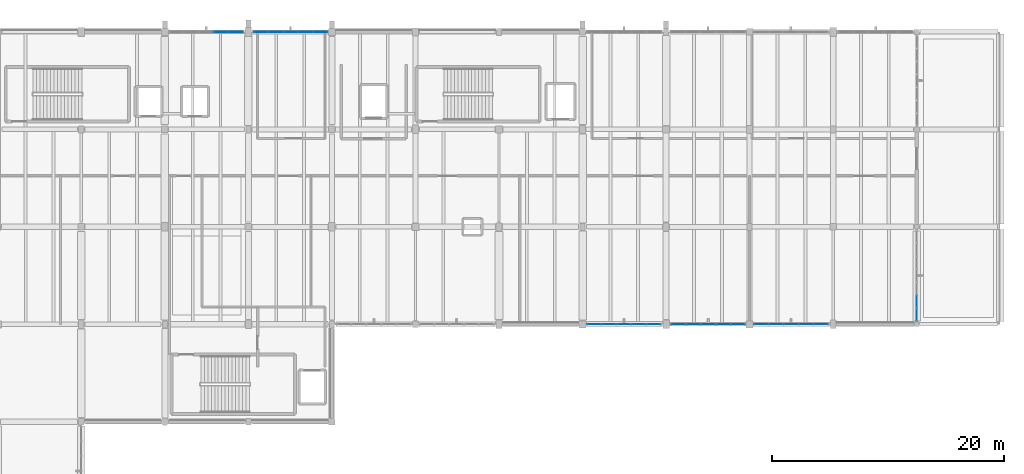
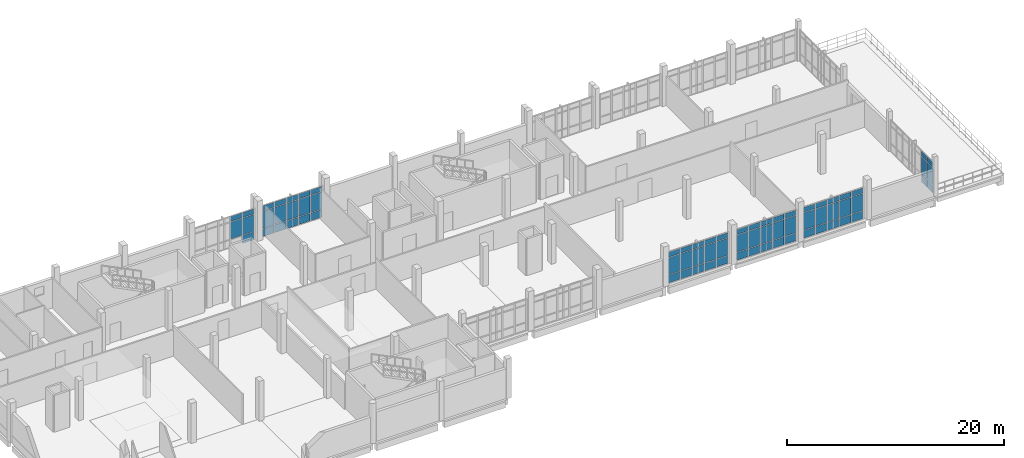
# One storey, part 49 of 62: 71 plates, 6 elements without a shape of their own.
"""IFC4 building model written with IfcOpenShell, lengths in metres."""

from ifc_helpers import new_model, si_unit, direction, frame, origin, origin_2d, place, context, subcontext, project, spatial, rectangle, extrude, material, layer, layer_set, type_object, element, aggregate, save


model = new_model("IFC4")

# Units and contexts
model_context = context("Model", 3, precision=1e-05, world=origin(), true_north=direction((0.0, 1.0)))
body_context = subcontext(model_context, "Body", "Model", "MODEL_VIEW")
ifc_project = project(units=[si_unit("LENGTHUNIT", "METRE"), si_unit("AREAUNIT", "SQUARE_METRE"), si_unit("VOLUMEUNIT", "CUBIC_METRE"), si_unit("PLANEANGLEUNIT", "RADIAN"), si_unit("MASSUNIT", "GRAM", prefix="KILO")], contexts=[model_context])

# Site, building, storey
site_placement = place(None, origin())
site = spatial("IfcSite", under=ifc_project, at=site_placement, CompositionType="ELEMENT")
building_placement = place(site_placement, origin())
building = spatial("IfcBuilding", under=site, at=building_placement, Name="Kalluvel Institute of Natural Sciences", CompositionType="ELEMENT")
storey_placement = place(building_placement, frame((0.0, 0.0, 27.89990234375)))
storey = spatial("IfcBuildingStorey", under=building, at=storey_placement, Name="L06", CompositionType="ELEMENT", Elevation=27.89990234375)

# Curtain wall, plates
ifc_material_1 = material(Name="Aluminium AW-6063 T6", Category="aluminium")
curtain_wall_type = type_object("IfcCurtainWallType", Name="CW-WET-45", PredefinedType="USERDEFINED", material=ifc_material_1)
curtain_wall_1_placement = place(storey_placement, origin())
curtain_wall_1 = element("IfcCurtainWall", 1, at=curtain_wall_1_placement, inside=storey, type_object=curtain_wall_type, Name="L06 Gothic lancet curtain wall CWA-L06-X432-Y1280", ObjectType="UNITISED LANCET FACADE", PredefinedType="USERDEFINED")
ifc_material_2 = material(Name="Solar-Control Low-E Laminated Glass", Category="glass")
ifc_layer = layer(ifc_material_2, 0.028076171875)
ifc_layer_set = layer_set([ifc_layer], Name="Solar-Control Low-E Laminated Glass")
plate_type = type_object("IfcPlateType", Name="CWP-DGU-28", PredefinedType="CURTAIN_PANEL", material=ifc_layer_set)
plate_1_placement = place(storey_placement, frame((47.6474609375, 128.0, 0.980224609375), z_axis=(0.0, 0.0, 1.0), x_axis=(1.0, 0.0, 0.0)))
plate_1 = element("IfcPlate", 2, at=plate_1_placement, type_object=plate_type, Name="CW-01 panel 4.2", PredefinedType="CURTAIN_PANEL", context=body_context, shape_type="SweptSolid", body=[
    extrude(rectangle(XDim=1.22509765625, YDim=0.028076171875, at=origin_2d()), origin(), (0.0, 0.0, 1.0), 1.919921875),
])
plate_2_placement = place(storey_placement, frame((47.6474609375, 128.0, 2.9599609375), z_axis=(0.0, 0.0, 1.0), x_axis=(1.0, 0.0, 0.0)))
plate_2 = element("IfcPlate", 3, at=plate_2_placement, type_object=plate_type, Name="CW-01 panel 4.3", PredefinedType="CURTAIN_PANEL", context=body_context, shape_type="SweptSolid", body=[
    extrude(rectangle(XDim=1.22509765625, YDim=0.028076171875, at=origin_2d()), origin(), (0.0, 0.0, 1.0), 0.56005859375),
])
plate_3_placement = place(storey_placement, frame((48.91748046875, 128.0, 0.06005859375), z_axis=(0.0, 0.0, 1.0), x_axis=(1.0, 0.0, 0.0)))
plate_3 = element("IfcPlate", 4, at=plate_3_placement, type_object=plate_type, Name="CW-01 panel 5.1", PredefinedType="CURTAIN_PANEL", context=body_context, shape_type="SweptSolid", body=[
    extrude(rectangle(XDim=1.195068359375, YDim=0.028076171875, at=origin_2d()), origin(), (0.0, 0.0, 1.0), 0.860107421875),
])
plate_4_placement = place(storey_placement, frame((48.91748046875, 128.0, 0.980224609375), z_axis=(0.0, 0.0, 1.0), x_axis=(1.0, 0.0, 0.0)))
plate_4 = element("IfcPlate", 5, at=plate_4_placement, type_object=plate_type, Name="CW-01 panel 5.2", PredefinedType="CURTAIN_PANEL", context=body_context, shape_type="SweptSolid", body=[
    extrude(rectangle(XDim=1.195068359375, YDim=0.028076171875, at=origin_2d()), origin(), (0.0, 0.0, 1.0), 1.919921875),
])
plate_5_placement = place(storey_placement, frame((48.91748046875, 128.0, 2.9599609375), z_axis=(0.0, 0.0, 1.0), x_axis=(1.0, 0.0, 0.0)))
plate_5 = element("IfcPlate", 6, at=plate_5_placement, type_object=plate_type, Name="CW-01 panel 5.3", PredefinedType="CURTAIN_PANEL", context=body_context, shape_type="SweptSolid", body=[
    extrude(rectangle(XDim=1.195068359375, YDim=0.028076171875, at=origin_2d()), origin(), (0.0, 0.0, 1.0), 0.56005859375),
])
aggregate(curtain_wall_1, [plate_1, plate_2, plate_3, plate_4, plate_5])

curtain_wall_2_placement = place(storey_placement, origin())
curtain_wall_2 = element("IfcCurtainWall", 7, at=curtain_wall_2_placement, inside=storey, type_object=curtain_wall_type, Name="L06 Gothic lancet curtain wall CWA-L06-X504-Y1280", ObjectType="UNITISED LANCET FACADE", PredefinedType="USERDEFINED")
plate_6_placement = place(storey_placement, frame((51.08251953125, 128.0, 0.06005859375), z_axis=(0.0, 0.0, 1.0), x_axis=(1.0, 0.0, 0.0)))
plate_6 = element("IfcPlate", 8, at=plate_6_placement, type_object=plate_type, Name="CW-01 panel 1.1", PredefinedType="CURTAIN_PANEL", context=body_context, shape_type="SweptSolid", body=[
    extrude(rectangle(XDim=1.195068359375, YDim=0.028076171875, at=origin_2d()), origin(), (0.0, 0.0, 1.0), 0.860107421875),
])
plate_7_placement = place(storey_placement, frame((51.08251953125, 128.0, 0.980224609375), z_axis=(0.0, 0.0, 1.0), x_axis=(1.0, 0.0, 0.0)))
plate_7 = element("IfcPlate", 9, at=plate_7_placement, type_object=plate_type, Name="CW-01 panel 1.2", PredefinedType="CURTAIN_PANEL", context=body_context, shape_type="SweptSolid", body=[
    extrude(rectangle(XDim=1.195068359375, YDim=0.028076171875, at=origin_2d()), origin(), (0.0, 0.0, 1.0), 1.919921875),
])
plate_8_placement = place(storey_placement, frame((51.08251953125, 128.0, 2.9599609375), z_axis=(0.0, 0.0, 1.0), x_axis=(1.0, 0.0, 0.0)))
plate_8 = element("IfcPlate", 10, at=plate_8_placement, type_object=plate_type, Name="CW-01 panel 1.3", PredefinedType="CURTAIN_PANEL", context=body_context, shape_type="SweptSolid", body=[
    extrude(rectangle(XDim=1.195068359375, YDim=0.028076171875, at=origin_2d()), origin(), (0.0, 0.0, 1.0), 0.56005859375),
])
plate_9_placement = place(storey_placement, frame((52.3525390625, 128.0, 0.06005859375), z_axis=(0.0, 0.0, 1.0), x_axis=(1.0, 0.0, 0.0)))
plate_9 = element("IfcPlate", 11, at=plate_9_placement, type_object=plate_type, Name="CW-01 panel 2.1", PredefinedType="CURTAIN_PANEL", context=body_context, shape_type="SweptSolid", body=[
    extrude(rectangle(XDim=1.22509765625, YDim=0.028076171875, at=origin_2d()), origin(), (0.0, 0.0, 1.0), 0.860107421875),
])
plate_10_placement = place(storey_placement, frame((52.3525390625, 128.0, 0.980224609375), z_axis=(0.0, 0.0, 1.0), x_axis=(1.0, 0.0, 0.0)))
plate_10 = element("IfcPlate", 12, at=plate_10_placement, type_object=plate_type, Name="CW-01 panel 2.2", PredefinedType="CURTAIN_PANEL", context=body_context, shape_type="SweptSolid", body=[
    extrude(rectangle(XDim=1.22509765625, YDim=0.028076171875, at=origin_2d()), origin(), (0.0, 0.0, 1.0), 1.919921875),
])
plate_11_placement = place(storey_placement, frame((52.3525390625, 128.0, 2.9599609375), z_axis=(0.0, 0.0, 1.0), x_axis=(1.0, 0.0, 0.0)))
plate_11 = element("IfcPlate", 13, at=plate_11_placement, type_object=plate_type, Name="CW-01 panel 2.3", PredefinedType="CURTAIN_PANEL", context=body_context, shape_type="SweptSolid", body=[
    extrude(rectangle(XDim=1.22509765625, YDim=0.028076171875, at=origin_2d()), origin(), (0.0, 0.0, 1.0), 0.56005859375),
])
plate_12_placement = place(storey_placement, frame((53.637451171875, 128.0, 0.06005859375), z_axis=(0.0, 0.0, 1.0), x_axis=(1.0, 0.0, 0.0)))
plate_12 = element("IfcPlate", 14, at=plate_12_placement, type_object=plate_type, Name="CW-01 panel 3.1", PredefinedType="CURTAIN_PANEL", context=body_context, shape_type="SweptSolid", body=[
    extrude(rectangle(XDim=1.22509765625, YDim=0.028076171875, at=origin_2d()), origin(), (0.0, 0.0, 1.0), 0.860107421875),
])
plate_13_placement = place(storey_placement, frame((53.637451171875, 128.0, 0.980224609375), z_axis=(0.0, 0.0, 1.0), x_axis=(1.0, 0.0, 0.0)))
plate_13 = element("IfcPlate", 15, at=plate_13_placement, type_object=plate_type, Name="CW-01 panel 3.2", PredefinedType="CURTAIN_PANEL", context=body_context, shape_type="SweptSolid", body=[
    extrude(rectangle(XDim=1.22509765625, YDim=0.028076171875, at=origin_2d()), origin(), (0.0, 0.0, 1.0), 1.919921875),
])
plate_14_placement = place(storey_placement, frame((53.637451171875, 128.0, 2.9599609375), z_axis=(0.0, 0.0, 1.0), x_axis=(1.0, 0.0, 0.0)))
plate_14 = element("IfcPlate", 16, at=plate_14_placement, type_object=plate_type, Name="CW-01 panel 3.3", PredefinedType="CURTAIN_PANEL", context=body_context, shape_type="SweptSolid", body=[
    extrude(rectangle(XDim=1.22509765625, YDim=0.028076171875, at=origin_2d()), origin(), (0.0, 0.0, 1.0), 0.56005859375),
])
plate_15_placement = place(storey_placement, frame((54.922607421875, 128.0, 0.06005859375), z_axis=(0.0, 0.0, 1.0), x_axis=(1.0, 0.0, 0.0)))
plate_15 = element("IfcPlate", 17, at=plate_15_placement, type_object=plate_type, Name="CW-01 panel 4.1", PredefinedType="CURTAIN_PANEL", context=body_context, shape_type="SweptSolid", body=[
    extrude(rectangle(XDim=1.22509765625, YDim=0.028076171875, at=origin_2d()), origin(), (0.0, 0.0, 1.0), 0.860107421875),
])
plate_16_placement = place(storey_placement, frame((54.922607421875, 128.0, 0.980224609375), z_axis=(0.0, 0.0, 1.0), x_axis=(1.0, 0.0, 0.0)))
plate_16 = element("IfcPlate", 18, at=plate_16_placement, type_object=plate_type, Name="CW-01 panel 4.2", PredefinedType="CURTAIN_PANEL", context=body_context, shape_type="SweptSolid", body=[
    extrude(rectangle(XDim=1.22509765625, YDim=0.028076171875, at=origin_2d()), origin(), (0.0, 0.0, 1.0), 1.919921875),
])
plate_17_placement = place(storey_placement, frame((54.922607421875, 128.0, 2.9599609375), z_axis=(0.0, 0.0, 1.0), x_axis=(1.0, 0.0, 0.0)))
plate_17 = element("IfcPlate", 19, at=plate_17_placement, type_object=plate_type, Name="CW-01 panel 4.3", PredefinedType="CURTAIN_PANEL", context=body_context, shape_type="SweptSolid", body=[
    extrude(rectangle(XDim=1.22509765625, YDim=0.028076171875, at=origin_2d()), origin(), (0.0, 0.0, 1.0), 0.56005859375),
])
plate_18_placement = place(storey_placement, frame((56.1923828125, 128.0, 0.06005859375), z_axis=(0.0, 0.0, 1.0), x_axis=(1.0, 0.0, 0.0)))
plate_18 = element("IfcPlate", 20, at=plate_18_placement, type_object=plate_type, Name="CW-01 panel 5.1", PredefinedType="CURTAIN_PANEL", context=body_context, shape_type="SweptSolid", body=[
    extrude(rectangle(XDim=1.195068359375, YDim=0.028076171875, at=origin_2d()), origin(), (0.0, 0.0, 1.0), 0.860107421875),
])
plate_19_placement = place(storey_placement, frame((56.1923828125, 128.0, 0.980224609375), z_axis=(0.0, 0.0, 1.0), x_axis=(1.0, 0.0, 0.0)))
plate_19 = element("IfcPlate", 21, at=plate_19_placement, type_object=plate_type, Name="CW-01 panel 5.2", PredefinedType="CURTAIN_PANEL", context=body_context, shape_type="SweptSolid", body=[
    extrude(rectangle(XDim=1.195068359375, YDim=0.028076171875, at=origin_2d()), origin(), (0.0, 0.0, 1.0), 1.919921875),
])
plate_20_placement = place(storey_placement, frame((56.1923828125, 128.0, 2.9599609375), z_axis=(0.0, 0.0, 1.0), x_axis=(1.0, 0.0, 0.0)))
plate_20 = element("IfcPlate", 22, at=plate_20_placement, type_object=plate_type, Name="CW-01 panel 5.3", PredefinedType="CURTAIN_PANEL", context=body_context, shape_type="SweptSolid", body=[
    extrude(rectangle(XDim=1.195068359375, YDim=0.028076171875, at=origin_2d()), origin(), (0.0, 0.0, 1.0), 0.56005859375),
])
aggregate(curtain_wall_2, [plate_6, plate_7, plate_8, plate_9, plate_10, plate_11, plate_12, plate_13, plate_14, plate_15, plate_16, plate_17, plate_18, plate_19, plate_20])

curtain_wall_3_placement = place(storey_placement, origin())
curtain_wall_3 = element("IfcCurtainWall", 23, at=curtain_wall_3_placement, inside=storey, type_object=curtain_wall_type, Name="L06 Gothic lancet curtain wall CWA-L06-X792-Y1028", ObjectType="UNITISED LANCET FACADE", PredefinedType="USERDEFINED")
plate_21_placement = place(storey_placement, frame((79.8076171875, 102.800048828125, 0.06005859375), z_axis=(0.0, 0.0, 1.0), x_axis=(1.0, 0.0, 0.0)))
plate_21 = element("IfcPlate", 24, at=plate_21_placement, type_object=plate_type, Name="CW-01 panel 1.1", PredefinedType="CURTAIN_PANEL", context=body_context, shape_type="SweptSolid", body=[
    extrude(rectangle(XDim=1.195068359375, YDim=0.028076171875, at=origin_2d()), origin(), (0.0, 0.0, 1.0), 0.860107421875),
])
plate_22_placement = place(storey_placement, frame((79.8076171875, 102.800048828125, 0.980224609375), z_axis=(0.0, 0.0, 1.0), x_axis=(1.0, 0.0, 0.0)))
plate_22 = element("IfcPlate", 25, at=plate_22_placement, type_object=plate_type, Name="CW-01 panel 1.2", PredefinedType="CURTAIN_PANEL", context=body_context, shape_type="SweptSolid", body=[
    extrude(rectangle(XDim=1.195068359375, YDim=0.028076171875, at=origin_2d()), origin(), (0.0, 0.0, 1.0), 1.919921875),
])
plate_23_placement = place(storey_placement, frame((79.8076171875, 102.800048828125, 2.9599609375), z_axis=(0.0, 0.0, 1.0), x_axis=(1.0, 0.0, 0.0)))
plate_23 = element("IfcPlate", 26, at=plate_23_placement, type_object=plate_type, Name="CW-01 panel 1.3", PredefinedType="CURTAIN_PANEL", context=body_context, shape_type="SweptSolid", body=[
    extrude(rectangle(XDim=1.195068359375, YDim=0.028076171875, at=origin_2d()), origin(), (0.0, 0.0, 1.0), 0.56005859375),
])
plate_24_placement = place(storey_placement, frame((81.077392578125, 102.800048828125, 0.06005859375), z_axis=(0.0, 0.0, 1.0), x_axis=(1.0, 0.0, 0.0)))
plate_24 = element("IfcPlate", 27, at=plate_24_placement, type_object=plate_type, Name="CW-01 panel 2.1", PredefinedType="CURTAIN_PANEL", context=body_context, shape_type="SweptSolid", body=[
    extrude(rectangle(XDim=1.22509765625, YDim=0.028076171875, at=origin_2d()), origin(), (0.0, 0.0, 1.0), 0.860107421875),
])
plate_25_placement = place(storey_placement, frame((81.077392578125, 102.800048828125, 0.980224609375), z_axis=(0.0, 0.0, 1.0), x_axis=(1.0, 0.0, 0.0)))
plate_25 = element("IfcPlate", 28, at=plate_25_placement, type_object=plate_type, Name="CW-01 panel 2.2", PredefinedType="CURTAIN_PANEL", context=body_context, shape_type="SweptSolid", body=[
    extrude(rectangle(XDim=1.22509765625, YDim=0.028076171875, at=origin_2d()), origin(), (0.0, 0.0, 1.0), 1.919921875),
])
plate_26_placement = place(storey_placement, frame((81.077392578125, 102.800048828125, 2.9599609375), z_axis=(0.0, 0.0, 1.0), x_axis=(1.0, 0.0, 0.0)))
plate_26 = element("IfcPlate", 29, at=plate_26_placement, type_object=plate_type, Name="CW-01 panel 2.3", PredefinedType="CURTAIN_PANEL", context=body_context, shape_type="SweptSolid", body=[
    extrude(rectangle(XDim=1.22509765625, YDim=0.028076171875, at=origin_2d()), origin(), (0.0, 0.0, 1.0), 0.56005859375),
])
plate_27_placement = place(storey_placement, frame((82.362548828125, 102.800048828125, 0.06005859375), z_axis=(0.0, 0.0, 1.0), x_axis=(1.0, 0.0, 0.0)))
plate_27 = element("IfcPlate", 30, at=plate_27_placement, type_object=plate_type, Name="CW-01 panel 3.1", PredefinedType="CURTAIN_PANEL", context=body_context, shape_type="SweptSolid", body=[
    extrude(rectangle(XDim=1.22509765625, YDim=0.028076171875, at=origin_2d()), origin(), (0.0, 0.0, 1.0), 0.860107421875),
])
plate_28_placement = place(storey_placement, frame((82.362548828125, 102.800048828125, 0.980224609375), z_axis=(0.0, 0.0, 1.0), x_axis=(1.0, 0.0, 0.0)))
plate_28 = element("IfcPlate", 31, at=plate_28_placement, type_object=plate_type, Name="CW-01 panel 3.2", PredefinedType="CURTAIN_PANEL", context=body_context, shape_type="SweptSolid", body=[
    extrude(rectangle(XDim=1.22509765625, YDim=0.028076171875, at=origin_2d()), origin(), (0.0, 0.0, 1.0), 1.919921875),
])
plate_29_placement = place(storey_placement, frame((82.362548828125, 102.800048828125, 2.9599609375), z_axis=(0.0, 0.0, 1.0), x_axis=(1.0, 0.0, 0.0)))
plate_29 = element("IfcPlate", 32, at=plate_29_placement, type_object=plate_type, Name="CW-01 panel 3.3", PredefinedType="CURTAIN_PANEL", context=body_context, shape_type="SweptSolid", body=[
    extrude(rectangle(XDim=1.22509765625, YDim=0.028076171875, at=origin_2d()), origin(), (0.0, 0.0, 1.0), 0.56005859375),
])
plate_30_placement = place(storey_placement, frame((83.6474609375, 102.800048828125, 0.06005859375), z_axis=(0.0, 0.0, 1.0), x_axis=(1.0, 0.0, 0.0)))
plate_30 = element("IfcPlate", 33, at=plate_30_placement, type_object=plate_type, Name="CW-01 panel 4.1", PredefinedType="CURTAIN_PANEL", context=body_context, shape_type="SweptSolid", body=[
    extrude(rectangle(XDim=1.22509765625, YDim=0.028076171875, at=origin_2d()), origin(), (0.0, 0.0, 1.0), 0.860107421875),
])
plate_31_placement = place(storey_placement, frame((83.6474609375, 102.800048828125, 0.980224609375), z_axis=(0.0, 0.0, 1.0), x_axis=(1.0, 0.0, 0.0)))
plate_31 = element("IfcPlate", 34, at=plate_31_placement, type_object=plate_type, Name="CW-01 panel 4.2", PredefinedType="CURTAIN_PANEL", context=body_context, shape_type="SweptSolid", body=[
    extrude(rectangle(XDim=1.22509765625, YDim=0.028076171875, at=origin_2d()), origin(), (0.0, 0.0, 1.0), 1.919921875),
])
plate_32_placement = place(storey_placement, frame((83.6474609375, 102.800048828125, 2.9599609375), z_axis=(0.0, 0.0, 1.0), x_axis=(1.0, 0.0, 0.0)))
plate_32 = element("IfcPlate", 35, at=plate_32_placement, type_object=plate_type, Name="CW-01 panel 4.3", PredefinedType="CURTAIN_PANEL", context=body_context, shape_type="SweptSolid", body=[
    extrude(rectangle(XDim=1.22509765625, YDim=0.028076171875, at=origin_2d()), origin(), (0.0, 0.0, 1.0), 0.56005859375),
])
plate_33_placement = place(storey_placement, frame((84.91748046875, 102.800048828125, 0.06005859375), z_axis=(0.0, 0.0, 1.0), x_axis=(1.0, 0.0, 0.0)))
plate_33 = element("IfcPlate", 36, at=plate_33_placement, type_object=plate_type, Name="CW-01 panel 5.1", PredefinedType="CURTAIN_PANEL", context=body_context, shape_type="SweptSolid", body=[
    extrude(rectangle(XDim=1.195068359375, YDim=0.028076171875, at=origin_2d()), origin(), (0.0, 0.0, 1.0), 0.860107421875),
])
plate_34_placement = place(storey_placement, frame((84.91748046875, 102.800048828125, 0.980224609375), z_axis=(0.0, 0.0, 1.0), x_axis=(1.0, 0.0, 0.0)))
plate_34 = element("IfcPlate", 37, at=plate_34_placement, type_object=plate_type, Name="CW-01 panel 5.2", PredefinedType="CURTAIN_PANEL", context=body_context, shape_type="SweptSolid", body=[
    extrude(rectangle(XDim=1.195068359375, YDim=0.028076171875, at=origin_2d()), origin(), (0.0, 0.0, 1.0), 1.919921875),
])
plate_35_placement = place(storey_placement, frame((84.91748046875, 102.800048828125, 2.9599609375), z_axis=(0.0, 0.0, 1.0), x_axis=(1.0, 0.0, 0.0)))
plate_35 = element("IfcPlate", 38, at=plate_35_placement, type_object=plate_type, Name="CW-01 panel 5.3", PredefinedType="CURTAIN_PANEL", context=body_context, shape_type="SweptSolid", body=[
    extrude(rectangle(XDim=1.195068359375, YDim=0.028076171875, at=origin_2d()), origin(), (0.0, 0.0, 1.0), 0.56005859375),
])
aggregate(curtain_wall_3, [plate_21, plate_22, plate_23, plate_24, plate_25, plate_26, plate_27, plate_28, plate_29, plate_30, plate_31, plate_32, plate_33, plate_34, plate_35])

curtain_wall_4_placement = place(storey_placement, origin())
curtain_wall_4 = element("IfcCurtainWall", 39, at=curtain_wall_4_placement, inside=storey, type_object=curtain_wall_type, Name="L06 Gothic lancet curtain wall CWA-L06-X864-Y1028", ObjectType="UNITISED LANCET FACADE", PredefinedType="USERDEFINED")
plate_36_placement = place(storey_placement, frame((87.08251953125, 102.800048828125, 0.06005859375), z_axis=(0.0, 0.0, 1.0), x_axis=(1.0, 0.0, 0.0)))
plate_36 = element("IfcPlate", 40, at=plate_36_placement, type_object=plate_type, Name="CW-01 panel 1.1", PredefinedType="CURTAIN_PANEL", context=body_context, shape_type="SweptSolid", body=[
    extrude(rectangle(XDim=1.195068359375, YDim=0.028076171875, at=origin_2d()), origin(), (0.0, 0.0, 1.0), 0.860107421875),
])
plate_37_placement = place(storey_placement, frame((87.08251953125, 102.800048828125, 0.980224609375), z_axis=(0.0, 0.0, 1.0), x_axis=(1.0, 0.0, 0.0)))
plate_37 = element("IfcPlate", 41, at=plate_37_placement, type_object=plate_type, Name="CW-01 panel 1.2", PredefinedType="CURTAIN_PANEL", context=body_context, shape_type="SweptSolid", body=[
    extrude(rectangle(XDim=1.195068359375, YDim=0.028076171875, at=origin_2d()), origin(), (0.0, 0.0, 1.0), 1.919921875),
])
plate_38_placement = place(storey_placement, frame((87.08251953125, 102.800048828125, 2.9599609375), z_axis=(0.0, 0.0, 1.0), x_axis=(1.0, 0.0, 0.0)))
plate_38 = element("IfcPlate", 42, at=plate_38_placement, type_object=plate_type, Name="CW-01 panel 1.3", PredefinedType="CURTAIN_PANEL", context=body_context, shape_type="SweptSolid", body=[
    extrude(rectangle(XDim=1.195068359375, YDim=0.028076171875, at=origin_2d()), origin(), (0.0, 0.0, 1.0), 0.56005859375),
])
plate_39_placement = place(storey_placement, frame((88.3525390625, 102.800048828125, 0.06005859375), z_axis=(0.0, 0.0, 1.0), x_axis=(1.0, 0.0, 0.0)))
plate_39 = element("IfcPlate", 43, at=plate_39_placement, type_object=plate_type, Name="CW-01 panel 2.1", PredefinedType="CURTAIN_PANEL", context=body_context, shape_type="SweptSolid", body=[
    extrude(rectangle(XDim=1.22509765625, YDim=0.028076171875, at=origin_2d()), origin(), (0.0, 0.0, 1.0), 0.860107421875),
])
plate_40_placement = place(storey_placement, frame((88.3525390625, 102.800048828125, 0.980224609375), z_axis=(0.0, 0.0, 1.0), x_axis=(1.0, 0.0, 0.0)))
plate_40 = element("IfcPlate", 44, at=plate_40_placement, type_object=plate_type, Name="CW-01 panel 2.2", PredefinedType="CURTAIN_PANEL", context=body_context, shape_type="SweptSolid", body=[
    extrude(rectangle(XDim=1.22509765625, YDim=0.028076171875, at=origin_2d()), origin(), (0.0, 0.0, 1.0), 1.919921875),
])
plate_41_placement = place(storey_placement, frame((88.3525390625, 102.800048828125, 2.9599609375), z_axis=(0.0, 0.0, 1.0), x_axis=(1.0, 0.0, 0.0)))
plate_41 = element("IfcPlate", 45, at=plate_41_placement, type_object=plate_type, Name="CW-01 panel 2.3", PredefinedType="CURTAIN_PANEL", context=body_context, shape_type="SweptSolid", body=[
    extrude(rectangle(XDim=1.22509765625, YDim=0.028076171875, at=origin_2d()), origin(), (0.0, 0.0, 1.0), 0.56005859375),
])
plate_42_placement = place(storey_placement, frame((89.637451171875, 102.800048828125, 0.06005859375), z_axis=(0.0, 0.0, 1.0), x_axis=(1.0, 0.0, 0.0)))
plate_42 = element("IfcPlate", 46, at=plate_42_placement, type_object=plate_type, Name="CW-01 panel 3.1", PredefinedType="CURTAIN_PANEL", context=body_context, shape_type="SweptSolid", body=[
    extrude(rectangle(XDim=1.22509765625, YDim=0.028076171875, at=origin_2d()), origin(), (0.0, 0.0, 1.0), 0.860107421875),
])
plate_43_placement = place(storey_placement, frame((89.637451171875, 102.800048828125, 0.980224609375), z_axis=(0.0, 0.0, 1.0), x_axis=(1.0, 0.0, 0.0)))
plate_43 = element("IfcPlate", 47, at=plate_43_placement, type_object=plate_type, Name="CW-01 panel 3.2", PredefinedType="CURTAIN_PANEL", context=body_context, shape_type="SweptSolid", body=[
    extrude(rectangle(XDim=1.22509765625, YDim=0.028076171875, at=origin_2d()), origin(), (0.0, 0.0, 1.0), 1.919921875),
])
plate_44_placement = place(storey_placement, frame((89.637451171875, 102.800048828125, 2.9599609375), z_axis=(0.0, 0.0, 1.0), x_axis=(1.0, 0.0, 0.0)))
plate_44 = element("IfcPlate", 48, at=plate_44_placement, type_object=plate_type, Name="CW-01 panel 3.3", PredefinedType="CURTAIN_PANEL", context=body_context, shape_type="SweptSolid", body=[
    extrude(rectangle(XDim=1.22509765625, YDim=0.028076171875, at=origin_2d()), origin(), (0.0, 0.0, 1.0), 0.56005859375),
])
plate_45_placement = place(storey_placement, frame((90.922607421875, 102.800048828125, 0.06005859375), z_axis=(0.0, 0.0, 1.0), x_axis=(1.0, 0.0, 0.0)))
plate_45 = element("IfcPlate", 49, at=plate_45_placement, type_object=plate_type, Name="CW-01 panel 4.1", PredefinedType="CURTAIN_PANEL", context=body_context, shape_type="SweptSolid", body=[
    extrude(rectangle(XDim=1.22509765625, YDim=0.028076171875, at=origin_2d()), origin(), (0.0, 0.0, 1.0), 0.860107421875),
])
plate_46_placement = place(storey_placement, frame((90.922607421875, 102.800048828125, 0.980224609375), z_axis=(0.0, 0.0, 1.0), x_axis=(1.0, 0.0, 0.0)))
plate_46 = element("IfcPlate", 50, at=plate_46_placement, type_object=plate_type, Name="CW-01 panel 4.2", PredefinedType="CURTAIN_PANEL", context=body_context, shape_type="SweptSolid", body=[
    extrude(rectangle(XDim=1.22509765625, YDim=0.028076171875, at=origin_2d()), origin(), (0.0, 0.0, 1.0), 1.919921875),
])
plate_47_placement = place(storey_placement, frame((90.922607421875, 102.800048828125, 2.9599609375), z_axis=(0.0, 0.0, 1.0), x_axis=(1.0, 0.0, 0.0)))
plate_47 = element("IfcPlate", 51, at=plate_47_placement, type_object=plate_type, Name="CW-01 panel 4.3", PredefinedType="CURTAIN_PANEL", context=body_context, shape_type="SweptSolid", body=[
    extrude(rectangle(XDim=1.22509765625, YDim=0.028076171875, at=origin_2d()), origin(), (0.0, 0.0, 1.0), 0.56005859375),
])
plate_48_placement = place(storey_placement, frame((92.1923828125, 102.800048828125, 0.06005859375), z_axis=(0.0, 0.0, 1.0), x_axis=(1.0, 0.0, 0.0)))
plate_48 = element("IfcPlate", 52, at=plate_48_placement, type_object=plate_type, Name="CW-01 panel 5.1", PredefinedType="CURTAIN_PANEL", context=body_context, shape_type="SweptSolid", body=[
    extrude(rectangle(XDim=1.195068359375, YDim=0.028076171875, at=origin_2d()), origin(), (0.0, 0.0, 1.0), 0.860107421875),
])
plate_49_placement = place(storey_placement, frame((92.1923828125, 102.800048828125, 0.980224609375), z_axis=(0.0, 0.0, 1.0), x_axis=(1.0, 0.0, 0.0)))
plate_49 = element("IfcPlate", 53, at=plate_49_placement, type_object=plate_type, Name="CW-01 panel 5.2", PredefinedType="CURTAIN_PANEL", context=body_context, shape_type="SweptSolid", body=[
    extrude(rectangle(XDim=1.195068359375, YDim=0.028076171875, at=origin_2d()), origin(), (0.0, 0.0, 1.0), 1.919921875),
])
plate_50_placement = place(storey_placement, frame((92.1923828125, 102.800048828125, 2.9599609375), z_axis=(0.0, 0.0, 1.0), x_axis=(1.0, 0.0, 0.0)))
plate_50 = element("IfcPlate", 54, at=plate_50_placement, type_object=plate_type, Name="CW-01 panel 5.3", PredefinedType="CURTAIN_PANEL", context=body_context, shape_type="SweptSolid", body=[
    extrude(rectangle(XDim=1.195068359375, YDim=0.028076171875, at=origin_2d()), origin(), (0.0, 0.0, 1.0), 0.56005859375),
])
aggregate(curtain_wall_4, [plate_36, plate_37, plate_38, plate_39, plate_40, plate_41, plate_42, plate_43, plate_44, plate_45, plate_46, plate_47, plate_48, plate_49, plate_50])

curtain_wall_5_placement = place(storey_placement, origin())
curtain_wall_5 = element("IfcCurtainWall", 55, at=curtain_wall_5_placement, inside=storey, type_object=curtain_wall_type, Name="L06 Gothic lancet curtain wall CWA-L06-X936-Y1028", ObjectType="UNITISED LANCET FACADE", PredefinedType="USERDEFINED")
plate_51_placement = place(storey_placement, frame((94.2099609375, 102.800048828125, 0.06005859375), z_axis=(0.0, 0.0, 1.0), x_axis=(1.0, 0.0, 0.0)))
plate_51 = element("IfcPlate", 56, at=plate_51_placement, type_object=plate_type, Name="CW-01 panel 1.1", PredefinedType="CURTAIN_PANEL", context=body_context, shape_type="SweptSolid", body=[
    extrude(rectangle(XDim=1.199951171875, YDim=0.028076171875, at=origin_2d()), origin(), (0.0, 0.0, 1.0), 0.860107421875),
])
plate_52_placement = place(storey_placement, frame((94.2099609375, 102.800048828125, 0.980224609375), z_axis=(0.0, 0.0, 1.0), x_axis=(1.0, 0.0, 0.0)))
plate_52 = element("IfcPlate", 57, at=plate_52_placement, type_object=plate_type, Name="CW-01 panel 1.2", PredefinedType="CURTAIN_PANEL", context=body_context, shape_type="SweptSolid", body=[
    extrude(rectangle(XDim=1.199951171875, YDim=0.028076171875, at=origin_2d()), origin(), (0.0, 0.0, 1.0), 1.919921875),
])
plate_53_placement = place(storey_placement, frame((94.2099609375, 102.800048828125, 2.9599609375), z_axis=(0.0, 0.0, 1.0), x_axis=(1.0, 0.0, 0.0)))
plate_53 = element("IfcPlate", 58, at=plate_53_placement, type_object=plate_type, Name="CW-01 panel 1.3", PredefinedType="CURTAIN_PANEL", context=body_context, shape_type="SweptSolid", body=[
    extrude(rectangle(XDim=1.199951171875, YDim=0.028076171875, at=origin_2d()), origin(), (0.0, 0.0, 1.0), 0.56005859375),
])
plate_54_placement = place(storey_placement, frame((95.485107421875, 102.800048828125, 0.06005859375), z_axis=(0.0, 0.0, 1.0), x_axis=(1.0, 0.0, 0.0)))
plate_54 = element("IfcPlate", 59, at=plate_54_placement, type_object=plate_type, Name="CW-01 panel 2.1", PredefinedType="CURTAIN_PANEL", context=body_context, shape_type="SweptSolid", body=[
    extrude(rectangle(XDim=1.22998046875, YDim=0.028076171875, at=origin_2d()), origin(), (0.0, 0.0, 1.0), 0.860107421875),
])
plate_55_placement = place(storey_placement, frame((95.485107421875, 102.800048828125, 0.980224609375), z_axis=(0.0, 0.0, 1.0), x_axis=(1.0, 0.0, 0.0)))
plate_55 = element("IfcPlate", 60, at=plate_55_placement, type_object=plate_type, Name="CW-01 panel 2.2", PredefinedType="CURTAIN_PANEL", context=body_context, shape_type="SweptSolid", body=[
    extrude(rectangle(XDim=1.22998046875, YDim=0.028076171875, at=origin_2d()), origin(), (0.0, 0.0, 1.0), 1.919921875),
])
plate_56_placement = place(storey_placement, frame((95.485107421875, 102.800048828125, 2.9599609375), z_axis=(0.0, 0.0, 1.0), x_axis=(1.0, 0.0, 0.0)))
plate_56 = element("IfcPlate", 61, at=plate_56_placement, type_object=plate_type, Name="CW-01 panel 2.3", PredefinedType="CURTAIN_PANEL", context=body_context, shape_type="SweptSolid", body=[
    extrude(rectangle(XDim=1.22998046875, YDim=0.028076171875, at=origin_2d()), origin(), (0.0, 0.0, 1.0), 0.56005859375),
])
plate_57_placement = place(storey_placement, frame((96.77490234375, 102.800048828125, 0.06005859375), z_axis=(0.0, 0.0, 1.0), x_axis=(1.0, 0.0, 0.0)))
plate_57 = element("IfcPlate", 62, at=plate_57_placement, type_object=plate_type, Name="CW-01 panel 3.1", PredefinedType="CURTAIN_PANEL", context=body_context, shape_type="SweptSolid", body=[
    extrude(rectangle(XDim=1.22998046875, YDim=0.028076171875, at=origin_2d()), origin(), (0.0, 0.0, 1.0), 0.860107421875),
])
plate_58_placement = place(storey_placement, frame((96.77490234375, 102.800048828125, 0.980224609375), z_axis=(0.0, 0.0, 1.0), x_axis=(1.0, 0.0, 0.0)))
plate_58 = element("IfcPlate", 63, at=plate_58_placement, type_object=plate_type, Name="CW-01 panel 3.2", PredefinedType="CURTAIN_PANEL", context=body_context, shape_type="SweptSolid", body=[
    extrude(rectangle(XDim=1.22998046875, YDim=0.028076171875, at=origin_2d()), origin(), (0.0, 0.0, 1.0), 1.919921875),
])
plate_59_placement = place(storey_placement, frame((96.77490234375, 102.800048828125, 2.9599609375), z_axis=(0.0, 0.0, 1.0), x_axis=(1.0, 0.0, 0.0)))
plate_59 = element("IfcPlate", 64, at=plate_59_placement, type_object=plate_type, Name="CW-01 panel 3.3", PredefinedType="CURTAIN_PANEL", context=body_context, shape_type="SweptSolid", body=[
    extrude(rectangle(XDim=1.22998046875, YDim=0.028076171875, at=origin_2d()), origin(), (0.0, 0.0, 1.0), 0.56005859375),
])
plate_60_placement = place(storey_placement, frame((98.06494140625, 102.800048828125, 0.06005859375), z_axis=(0.0, 0.0, 1.0), x_axis=(1.0, 0.0, 0.0)))
plate_60 = element("IfcPlate", 65, at=plate_60_placement, type_object=plate_type, Name="CW-01 panel 4.1", PredefinedType="CURTAIN_PANEL", context=body_context, shape_type="SweptSolid", body=[
    extrude(rectangle(XDim=1.22998046875, YDim=0.028076171875, at=origin_2d()), origin(), (0.0, 0.0, 1.0), 0.860107421875),
])
plate_61_placement = place(storey_placement, frame((98.06494140625, 102.800048828125, 0.980224609375), z_axis=(0.0, 0.0, 1.0), x_axis=(1.0, 0.0, 0.0)))
plate_61 = element("IfcPlate", 66, at=plate_61_placement, type_object=plate_type, Name="CW-01 panel 4.2", PredefinedType="CURTAIN_PANEL", context=body_context, shape_type="SweptSolid", body=[
    extrude(rectangle(XDim=1.22998046875, YDim=0.028076171875, at=origin_2d()), origin(), (0.0, 0.0, 1.0), 1.919921875),
])
plate_62_placement = place(storey_placement, frame((98.06494140625, 102.800048828125, 2.9599609375), z_axis=(0.0, 0.0, 1.0), x_axis=(1.0, 0.0, 0.0)))
plate_62 = element("IfcPlate", 67, at=plate_62_placement, type_object=plate_type, Name="CW-01 panel 4.3", PredefinedType="CURTAIN_PANEL", context=body_context, shape_type="SweptSolid", body=[
    extrude(rectangle(XDim=1.22998046875, YDim=0.028076171875, at=origin_2d()), origin(), (0.0, 0.0, 1.0), 0.56005859375),
])
plate_63_placement = place(storey_placement, frame((99.340087890625, 102.800048828125, 0.06005859375), z_axis=(0.0, 0.0, 1.0), x_axis=(1.0, 0.0, 0.0)))
plate_63 = element("IfcPlate", 68, at=plate_63_placement, type_object=plate_type, Name="CW-01 panel 5.1", PredefinedType="CURTAIN_PANEL", context=body_context, shape_type="SweptSolid", body=[
    extrude(rectangle(XDim=1.199951171875, YDim=0.028076171875, at=origin_2d()), origin(), (0.0, 0.0, 1.0), 0.860107421875),
])
plate_64_placement = place(storey_placement, frame((99.340087890625, 102.800048828125, 0.980224609375), z_axis=(0.0, 0.0, 1.0), x_axis=(1.0, 0.0, 0.0)))
plate_64 = element("IfcPlate", 69, at=plate_64_placement, type_object=plate_type, Name="CW-01 panel 5.2", PredefinedType="CURTAIN_PANEL", context=body_context, shape_type="SweptSolid", body=[
    extrude(rectangle(XDim=1.199951171875, YDim=0.028076171875, at=origin_2d()), origin(), (0.0, 0.0, 1.0), 1.919921875),
])
plate_65_placement = place(storey_placement, frame((99.340087890625, 102.800048828125, 2.9599609375), z_axis=(0.0, 0.0, 1.0), x_axis=(1.0, 0.0, 0.0)))
plate_65 = element("IfcPlate", 70, at=plate_65_placement, type_object=plate_type, Name="CW-01 panel 5.3", PredefinedType="CURTAIN_PANEL", context=body_context, shape_type="SweptSolid", body=[
    extrude(rectangle(XDim=1.199951171875, YDim=0.028076171875, at=origin_2d()), origin(), (0.0, 0.0, 1.0), 0.56005859375),
])
aggregate(curtain_wall_5, [plate_51, plate_52, plate_53, plate_54, plate_55, plate_56, plate_57, plate_58, plate_59, plate_60, plate_61, plate_62, plate_63, plate_64, plate_65])

curtain_wall_6_placement = place(storey_placement, origin())
curtain_wall_6 = element("IfcCurtainWall", 71, at=curtain_wall_6_placement, inside=storey, type_object=curtain_wall_type, Name="L06 Gothic lancet curtain wall CWA-L06-X1076-Y1030", ObjectType="UNITISED LANCET FACADE", PredefinedType="USERDEFINED")
plate_66_placement = place(storey_placement, frame((107.60009765625, 103.62939453125, 0.06005859375), z_axis=(0.0, 0.0, 1.0), x_axis=(0.0, 1.0, 0.0)))
plate_66 = element("IfcPlate", 72, at=plate_66_placement, type_object=plate_type, Name="CW-01 panel 1.1", PredefinedType="CURTAIN_PANEL", context=body_context, shape_type="SweptSolid", body=[
    extrude(rectangle(XDim=1.03857421875, YDim=0.028076171875, at=origin_2d()), origin(), (0.0, 0.0, 1.0), 0.860107421875),
])
plate_67_placement = place(storey_placement, frame((107.60009765625, 103.62939453125, 0.980224609375), z_axis=(0.0, 0.0, 1.0), x_axis=(0.0, 1.0, 0.0)))
plate_67 = element("IfcPlate", 73, at=plate_67_placement, type_object=plate_type, Name="CW-01 panel 1.2", PredefinedType="CURTAIN_PANEL", context=body_context, shape_type="SweptSolid", body=[
    extrude(rectangle(XDim=1.03857421875, YDim=0.028076171875, at=origin_2d()), origin(), (0.0, 0.0, 1.0), 1.919921875),
])
plate_68_placement = place(storey_placement, frame((107.60009765625, 103.62939453125, 2.9599609375), z_axis=(0.0, 0.0, 1.0), x_axis=(0.0, 1.0, 0.0)))
plate_68 = element("IfcPlate", 74, at=plate_68_placement, type_object=plate_type, Name="CW-01 panel 1.3", PredefinedType="CURTAIN_PANEL", context=body_context, shape_type="SweptSolid", body=[
    extrude(rectangle(XDim=1.03857421875, YDim=0.028076171875, at=origin_2d()), origin(), (0.0, 0.0, 1.0), 0.56005859375),
])
plate_69_placement = place(storey_placement, frame((107.60009765625, 104.742919921875, 0.06005859375), z_axis=(0.0, 0.0, 1.0), x_axis=(0.0, 1.0, 0.0)))
plate_69 = element("IfcPlate", 75, at=plate_69_placement, type_object=plate_type, Name="CW-01 panel 2.1", PredefinedType="CURTAIN_PANEL", context=body_context, shape_type="SweptSolid", body=[
    extrude(rectangle(XDim=1.068603515625, YDim=0.028076171875, at=origin_2d()), origin(), (0.0, 0.0, 1.0), 0.860107421875),
])
plate_70_placement = place(storey_placement, frame((107.60009765625, 104.742919921875, 0.980224609375), z_axis=(0.0, 0.0, 1.0), x_axis=(0.0, 1.0, 0.0)))
plate_70 = element("IfcPlate", 76, at=plate_70_placement, type_object=plate_type, Name="CW-01 panel 2.2", PredefinedType="CURTAIN_PANEL", context=body_context, shape_type="SweptSolid", body=[
    extrude(rectangle(XDim=1.068603515625, YDim=0.028076171875, at=origin_2d()), origin(), (0.0, 0.0, 1.0), 1.919921875),
])
plate_71_placement = place(storey_placement, frame((107.60009765625, 104.742919921875, 2.9599609375), z_axis=(0.0, 0.0, 1.0), x_axis=(0.0, 1.0, 0.0)))
plate_71 = element("IfcPlate", 77, at=plate_71_placement, type_object=plate_type, Name="CW-01 panel 2.3", PredefinedType="CURTAIN_PANEL", context=body_context, shape_type="SweptSolid", body=[
    extrude(rectangle(XDim=1.068603515625, YDim=0.028076171875, at=origin_2d()), origin(), (0.0, 0.0, 1.0), 0.56005859375),
])
aggregate(curtain_wall_6, [plate_66, plate_67, plate_68, plate_69, plate_70, plate_71])

save(model, "model.ifc")
